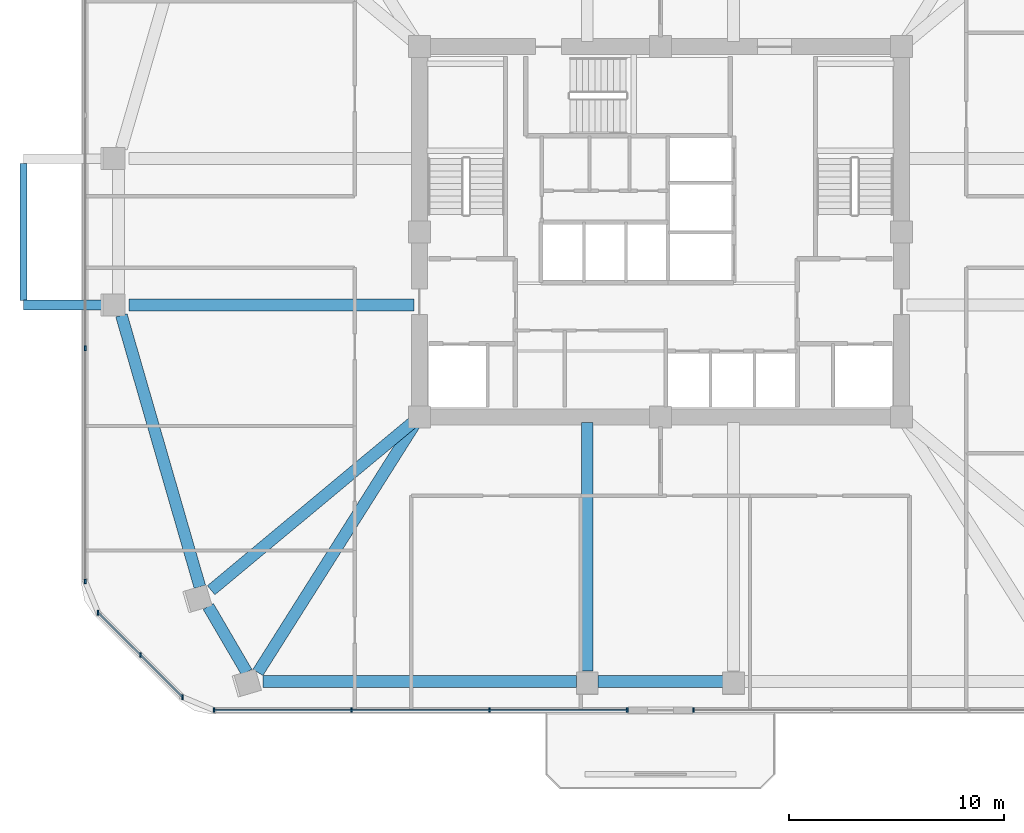
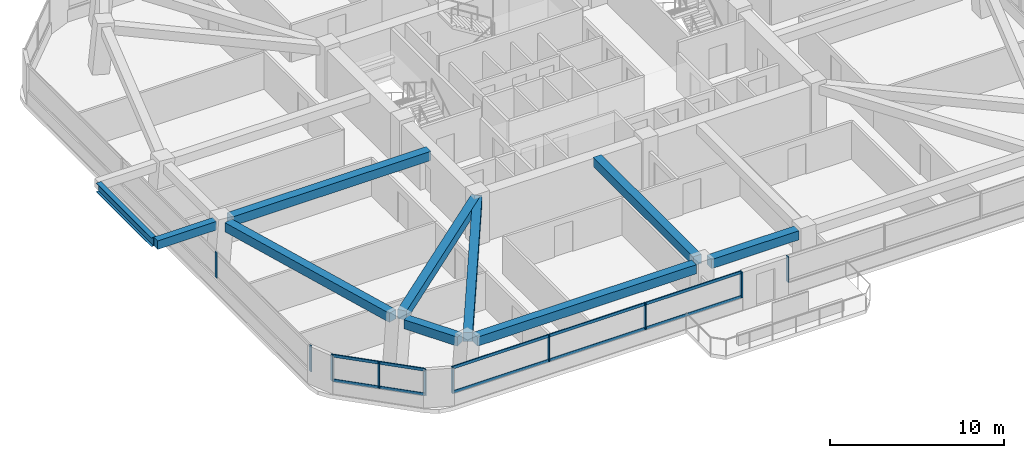
# One storey, part 2 of 13: 14 members, 10 beams, 4 elements without a shape of their own.
"""IFC4 building model written with IfcOpenShell, lengths in metres."""

from ifc_helpers import new_model, si_unit, derived_unit, direction, frame, origin, origin_2d, place, context, subcontext, project, spatial, rectangle, i_section, extrude, material, material_profile, profile_set, type_object, element, aggregate, save


model = new_model("IFC4")

# Units and contexts
model_context = context("Model", 3, precision=1e-05, world=origin(), true_north=direction((0.0, 1.0)))
body_context = subcontext(model_context, "Body", "Model", "MODEL_VIEW")
ifc_project = project(units=[si_unit("LENGTHUNIT", "METRE"), si_unit("AREAUNIT", "SQUARE_METRE"), si_unit("VOLUMEUNIT", "CUBIC_METRE"), si_unit("PLANEANGLEUNIT", "RADIAN"), si_unit("MASSUNIT", "GRAM", prefix="KILO"), derived_unit("THERMALTRANSMITTANCEUNIT", [(si_unit("POWERUNIT", "WATT"), 1), (si_unit("LENGTHUNIT", "METRE"), -2), (si_unit("THERMODYNAMICTEMPERATUREUNIT", "KELVIN"), -1)])], contexts=[model_context])

# Site, building, storey
site_placement = place(None, origin())
site = spatial("IfcSite", under=ifc_project, at=site_placement, CompositionType="ELEMENT")
building_placement = place(site_placement, origin())
building = spatial("IfcBuilding", under=site, at=building_placement, Name="Koralith Skygarden Medical Center", CompositionType="ELEMENT")
storey_placement = place(building_placement, frame((0.0, 0.0, 88.3798828125)))
storey = spatial("IfcBuildingStorey", under=building, at=storey_placement, Name="L22", CompositionType="ELEMENT", Elevation=88.3798828125)

# Curtain wall, members
ifc_material_1 = material(Name="Clear Laminated Glass", Category="glass")
curtain_wall_type = type_object("IfcCurtainWallType", Name="CW-3 Zone 2 Faceted Solar Curtain Wall", PredefinedType="NOTDEFINED", material=ifc_material_1)
curtain_wall_1_placement = place(storey_placement, origin())
curtain_wall_1 = element("IfcCurtainWall", 1, at=curtain_wall_1_placement, inside=storey, type_object=curtain_wall_type, Name="Curtain Wall CW-L22-S-L", PredefinedType="NOTDEFINED")
ifc_material_2 = material(Name="Aluminium 6063-T6", Category="aluminium")
ifc_material_profile_1 = material_profile(ifc_material_2, rectangle(XDim=0.073974609375, YDim=0.219970703125, at=origin_2d()), Name="MUL74X220")
ifc_profile_set_1 = profile_set([ifc_material_profile_1], Name="Aluminium 6063-T6")
member_type_1 = type_object("IfcMemberType", Name="CW-3 Extruded Mullion 74x220", PredefinedType="MULLION", material=ifc_profile_set_1)
member_1_placement = place(storey_placement, frame((16.2548828125, 3.679931640625, 0.85009765625), z_axis=(0.0, 0.0, 1.0), x_axis=(1.0, 0.0, 0.0)))
member_1 = element("IfcMember", 2, at=member_1_placement, type_object=member_type_1, Name="CW-L22-S-L Mullion 1", PredefinedType="MULLION", context=body_context, shape_type="SweptSolid", body=[
    extrude(rectangle(XDim=0.073974609375, YDim=0.219970703125, at=origin_2d()), origin(), (0.0, 0.0, 1.0), 1.820068359375),
])
member_2_placement = place(storey_placement, frame((22.656005859375, 3.679931640625, 0.85009765625), z_axis=(0.0, 0.0, 1.0), x_axis=(1.0, 0.0, 0.0)))
member_2 = element("IfcMember", 3, at=member_2_placement, type_object=member_type_1, Name="CW-L22-S-L Mullion 2", PredefinedType="MULLION", context=body_context, shape_type="SweptSolid", body=[
    extrude(rectangle(XDim=0.073974609375, YDim=0.219970703125, at=origin_2d()), origin(), (0.0, 0.0, 1.0), 1.820068359375),
])
member_3_placement = place(storey_placement, frame((29.05810546875, 3.679931640625, 0.85009765625), z_axis=(0.0, 0.0, 1.0), x_axis=(1.0, 0.0, 0.0)))
member_3 = element("IfcMember", 4, at=member_3_placement, type_object=member_type_1, Name="CW-L22-S-L Mullion 3", PredefinedType="MULLION", context=body_context, shape_type="SweptSolid", body=[
    extrude(rectangle(XDim=0.073974609375, YDim=0.219970703125, at=origin_2d()), origin(), (0.0, 0.0, 1.0), 1.820068359375),
])
member_4_placement = place(storey_placement, frame((35.458984375, 3.679931640625, 0.85009765625), z_axis=(0.0, 0.0, 1.0), x_axis=(1.0, 0.0, 0.0)))
member_4 = element("IfcMember", 5, at=member_4_placement, type_object=member_type_1, Name="CW-L22-S-L Mullion 4", PredefinedType="MULLION", context=body_context, shape_type="SweptSolid", body=[
    extrude(rectangle(XDim=0.073974609375, YDim=0.219970703125, at=origin_2d()), origin(), (0.0, 0.0, 1.0), 1.820068359375),
])

# Curtain wall, member
curtain_wall_2_placement = place(storey_placement, origin())
curtain_wall_2 = element("IfcCurtainWall", 6, at=curtain_wall_2_placement, inside=storey, type_object=curtain_wall_type, Name="Curtain Wall CW-L22-S-R", PredefinedType="NOTDEFINED")
member_5_placement = place(storey_placement, frame((38.5390625, 3.679931640625, 0.85009765625), z_axis=(0.0, 0.0, 1.0), x_axis=(1.0, 0.0, 0.0)))
member_5 = element("IfcMember", 7, at=member_5_placement, type_object=member_type_1, Name="CW-L22-S-R Mullion 1", PredefinedType="MULLION", context=body_context, shape_type="SweptSolid", body=[
    extrude(rectangle(XDim=0.073974609375, YDim=0.219970703125, at=origin_2d()), origin(), (0.0, 0.0, 1.0), 1.820068359375),
])
aggregate(curtain_wall_2, [member_5])

# Curtain wall, members
curtain_wall_3_placement = place(storey_placement, origin())
curtain_wall_3 = element("IfcCurtainWall", 8, at=curtain_wall_3_placement, inside=storey, type_object=curtain_wall_type, Name="Curtain Wall CW-L22-W", PredefinedType="NOTDEFINED")
member_6_placement = place(storey_placement, frame((10.280029296875, 20.485107421875, 0.85009765625), z_axis=(0.0, 0.0, 1.0), x_axis=(1.0, 0.0, 0.0)))
member_6 = element("IfcMember", 9, at=member_6_placement, type_object=member_type_1, Name="CW-L22-W Mullion 3", PredefinedType="MULLION", context=body_context, shape_type="SweptSolid", body=[
    extrude(rectangle(XDim=0.073974609375, YDim=0.219970703125, at=origin_2d()), origin(), (0.0, 0.0, 1.0), 1.820068359375),
])
member_7_placement = place(storey_placement, frame((10.280029296875, 9.655029296875, 0.85009765625), z_axis=(0.0, 0.0, 1.0), x_axis=(1.0, 0.0, 0.0)))
member_7 = element("IfcMember", 10, at=member_7_placement, type_object=member_type_1, Name="CW-L22-W Mullion 4", PredefinedType="MULLION", context=body_context, shape_type="SweptSolid", body=[
    extrude(rectangle(XDim=0.073974609375, YDim=0.219970703125, at=origin_2d()), origin(), (0.0, 0.0, 1.0), 1.820068359375),
])
aggregate(curtain_wall_3, [member_6, member_7])

curtain_wall_4_placement = place(storey_placement, origin())
curtain_wall_4 = element("IfcCurtainWall", 11, at=curtain_wall_4_placement, inside=storey, type_object=curtain_wall_type, Name="Curtain Wall CW-L22-SW", PredefinedType="NOTDEFINED")
member_8_placement = place(storey_placement, frame((10.881103515625, 8.2041015625, 0.85009765625), z_axis=(0.0, 0.0, 1.0), x_axis=(1.0, 0.0, 0.0)))
member_8 = element("IfcMember", 12, at=member_8_placement, type_object=member_type_1, Name="CW-L22-SW Mullion 1", PredefinedType="MULLION", context=body_context, shape_type="SweptSolid", body=[
    extrude(rectangle(XDim=0.073974609375, YDim=0.219970703125, at=origin_2d()), origin(), (0.0, 0.0, 1.0), 1.820068359375),
])
member_9_placement = place(storey_placement, frame((12.843017578125, 6.241943359375, 0.85009765625), z_axis=(0.0, 0.0, 1.0), x_axis=(1.0, 0.0, 0.0)))
member_9 = element("IfcMember", 13, at=member_9_placement, type_object=member_type_1, Name="CW-L22-SW Mullion 2", PredefinedType="MULLION", context=body_context, shape_type="SweptSolid", body=[
    extrude(rectangle(XDim=0.073974609375, YDim=0.219970703125, at=origin_2d()), origin(), (0.0, 0.0, 1.0), 1.820068359375),
])
member_10_placement = place(storey_placement, frame((14.803955078125, 4.281005859375, 0.85009765625), z_axis=(0.0, 0.0, 1.0), x_axis=(1.0, 0.0, 0.0)))
member_10 = element("IfcMember", 14, at=member_10_placement, type_object=member_type_1, Name="CW-L22-SW Mullion 3", PredefinedType="MULLION", context=body_context, shape_type="SweptSolid", body=[
    extrude(rectangle(XDim=0.073974609375, YDim=0.219970703125, at=origin_2d()), origin(), (0.0, 0.0, 1.0), 1.820068359375),
])

# Member
ifc_material_profile_2 = material_profile(ifc_material_2, rectangle(XDim=0.069091796875, YDim=0.197998046875, at=origin_2d()), Name="TRN69X198")
ifc_profile_set_2 = profile_set([ifc_material_profile_2], Name="Aluminium 6063-T6")
member_type_2 = type_object("IfcMemberType", Name="CW-3 Thermal Transom 69x198", PredefinedType="USERDEFINED", material=ifc_profile_set_2)
member_11_placement = place(storey_placement, frame((16.2548828125, 3.679931640625, 0.900146484375), z_axis=(1.0, 0.0, 0.0), x_axis=(0.0, 1.0, 0.0)))
member_11 = element("IfcMember", 15, at=member_11_placement, type_object=member_type_2, Name="CW-L22-S-L Transom 1", ObjectType="TRANSOM", PredefinedType="USERDEFINED", context=body_context, shape_type="SweptSolid", body=[
    extrude(rectangle(XDim=0.069091796875, YDim=0.197998046875, at=origin_2d()), origin(), (0.0, 0.0, 1.0), 19.2041015625),
])

member_12_placement = place(storey_placement, frame((16.2548828125, 3.679931640625, 2.6201171875), z_axis=(1.0, 0.0, 0.0), x_axis=(0.0, 1.0, 0.0)))
member_12 = element("IfcMember", 16, at=member_12_placement, type_object=member_type_2, Name="CW-L22-S-L Transom 2", ObjectType="TRANSOM", PredefinedType="USERDEFINED", context=body_context, shape_type="SweptSolid", body=[
    extrude(rectangle(XDim=0.069091796875, YDim=0.197998046875, at=origin_2d()), origin(), (0.0, 0.0, 1.0), 19.2041015625),
])

aggregate(curtain_wall_1, [member_1, member_2, member_3, member_4, member_11, member_12])

member_13_placement = place(storey_placement, frame((10.881103515625, 8.2041015625, 0.900146484375), z_axis=(0.707084777957, -0.707128783731, 0.0), x_axis=(0.707128783731, 0.707084777957, 0.0)))
member_13 = element("IfcMember", 17, at=member_13_placement, type_object=member_type_2, Name="CW-L22-SW Transom 1", ObjectType="TRANSOM", PredefinedType="USERDEFINED", context=body_context, shape_type="SweptSolid", body=[
    extrude(rectangle(XDim=0.069091796875, YDim=0.197998046875, at=origin_2d()), origin(), (0.0, 0.0, 1.0), 5.5478515625),
])

member_14_placement = place(storey_placement, frame((10.881103515625, 8.2041015625, 2.6201171875), z_axis=(0.707084777957, -0.707128783731, 0.0), x_axis=(0.707128783731, 0.707084777957, 0.0)))
member_14 = element("IfcMember", 18, at=member_14_placement, type_object=member_type_2, Name="CW-L22-SW Transom 2", ObjectType="TRANSOM", PredefinedType="USERDEFINED", context=body_context, shape_type="SweptSolid", body=[
    extrude(rectangle(XDim=0.069091796875, YDim=0.197998046875, at=origin_2d()), origin(), (0.0, 0.0, 1.0), 5.5478515625),
])

aggregate(curtain_wall_4, [member_8, member_9, member_10, member_13, member_14])

# Beams
ifc_material_3 = material(Name="Steel ASTM A992 Grade 50", Category="steel")
ifc_material_profile_3 = material_profile(ifc_material_3, i_section(OverallWidth=0.326904296875, OverallDepth=0.6220703125, WebThickness=0.015380859375, FlangeThickness=0.0244140625, at=origin_2d()), Name="W24X131")
ifc_profile_set_3 = profile_set([ifc_material_profile_3], Name="Steel ASTM A992 Grade 50")
beam_type_1 = type_object("IfcBeamType", Name="Cantilever Tie Beam W24X131", PredefinedType="BEAM", material=ifc_profile_set_3)
beam_1_placement = place(storey_placement, frame((7.412109375, 22.719970703125, 3.029052734375), z_axis=(0.0, 1.0, 0.0), x_axis=(-1.0, 0.0, 0.0)))
element("IfcBeam", 19, at=beam_1_placement, inside=storey, type_object=beam_type_1, Name="L23 W Balcony Tip Tie Beam", PredefinedType="BEAM", context=body_context, shape_type="SweptSolid", body=[
    extrude(i_section(OverallWidth=0.326904296875, OverallDepth=0.6220703125, WebThickness=0.015380859375, FlangeThickness=0.0244140625, at=origin_2d()), origin(), (0.0, 0.0, 1.0), 6.360107421875),
])
ifc_material_4 = material(Name="Concrete C45/55", Category="concrete")
ifc_material_profile_4 = material_profile(ifc_material_4, rectangle(XDim=0.449951171875, YDim=0.60009765625, at=origin_2d()), Name="RCB450X600")
ifc_profile_set_4 = profile_set([ifc_material_profile_4], Name="Concrete C45/55")
beam_type_2 = type_object("IfcBeamType", Name="Planted Balcony Cantilever Beam RCB450X600", PredefinedType="BEAM", material=ifc_profile_set_4)
beam_2_placement = place(storey_placement, frame((11.33203125, 22.5, 3.0400390625), z_axis=(-1.0, 0.0, 0.0), x_axis=(0.0, -1.0, 0.0)))
element("IfcBeam", 20, at=beam_2_placement, inside=storey, type_object=beam_type_2, Name="L23 W Balcony Cantilever Beam A", PredefinedType="BEAM", context=body_context, shape_type="SweptSolid", body=[
    extrude(rectangle(XDim=0.449951171875, YDim=0.60009765625, at=origin_2d()), origin(), (0.0, 0.0, 1.0), 3.919921875),
])
ifc_material_profile_5 = material_profile(ifc_material_4, rectangle(XDim=0.550048828125, YDim=0.639892578125, at=origin_2d()), Name="RCB550X640")
ifc_profile_set_5 = profile_set([ifc_material_profile_5], Name="Concrete C45/55")
beam_type_3 = type_object("IfcBeamType", Name="Radial Collector Beam RCB550X640", PredefinedType="BEAM", material=ifc_profile_set_5)
beam_3_placement = place(storey_placement, frame((25.550048828125, 22.5, 3.0), z_axis=(-1.0, 0.0, 0.0), x_axis=(0.0, -1.0, 0.0)))
element("IfcBeam", 21, at=beam_3_placement, inside=storey, type_object=beam_type_3, Name="L22 Radial Collector Beam RB-01", PredefinedType="BEAM", context=body_context, shape_type="SweptSolid", body=[
    extrude(rectangle(XDim=0.550048828125, YDim=0.639892578125, at=origin_2d()), origin(), (0.0, 0.0, 1.0), 13.22802734375),
])
beam_4_placement = place(storey_placement, frame((25.60791015625, 17.139892578125, 3.0), z_axis=(-0.768616980181, -0.63970926035, 0.0), x_axis=(0.63970926035, -0.768616980181, 0.0)))
element("IfcBeam", 22, at=beam_4_placement, inside=storey, type_object=beam_type_3, Name="L22 Radial Collector Beam RB-02", PredefinedType="BEAM", context=body_context, shape_type="SweptSolid", body=[
    extrude(rectangle(XDim=0.550048828125, YDim=0.639892578125, at=origin_2d()), origin(), (0.0, 0.0, 1.0), 12.335205078125),
])
beam_5_placement = place(storey_placement, frame((25.666015625, 17.089111328125, 3.0), z_axis=(-0.534092238193, -0.845426212689, 0.0), x_axis=(0.845426212689, -0.534092238193, 0.0)))
element("IfcBeam", 23, at=beam_5_placement, inside=storey, type_object=beam_type_3, Name="L22 Radial Collector Beam RB-03", PredefinedType="BEAM", context=body_context, shape_type="SweptSolid", body=[
    extrude(rectangle(XDim=0.550048828125, YDim=0.639892578125, at=origin_2d()), origin(), (0.0, 0.0, 1.0), 13.789794921875),
])
beam_6_placement = place(storey_placement, frame((33.60009765625, 17.050048828125, 3.0), z_axis=(0.0, -1.0, 0.0), x_axis=(1.0, 0.0, 0.0)))
element("IfcBeam", 24, at=beam_6_placement, inside=storey, type_object=beam_type_3, Name="L22 Radial Collector Beam RB-04", PredefinedType="BEAM", context=body_context, shape_type="SweptSolid", body=[
    extrude(rectangle(XDim=0.550048828125, YDim=0.639892578125, at=origin_2d()), origin(), (0.0, 0.0, 1.0), 11.5419921875),
])
ifc_material_profile_6 = material_profile(ifc_material_4, rectangle(XDim=0.550048828125, YDim=0.639892578125, at=origin_2d()), Name="RCB550X640")
ifc_profile_set_6 = profile_set([ifc_material_profile_6], Name="Concrete C45/55")
beam_type_4 = type_object("IfcBeamType", Name="Zone 2-3 Spandrel Beam RCB550X640", PredefinedType="SPANDREL", material=ifc_profile_set_6)
beam_7_placement = place(storey_placement, frame((11.9609375, 22.02001953125, 3.0), z_axis=(0.277530116088, -0.960716937846, 0.0), x_axis=(0.960716937846, 0.277530116088, 0.0)))
element("IfcBeam", 25, at=beam_7_placement, inside=storey, type_object=beam_type_4, Name="L22 Perimeter Spandrel Beam SP-01", PredefinedType="SPANDREL", context=body_context, shape_type="SweptSolid", body=[
    extrude(rectangle(XDim=0.550048828125, YDim=0.639892578125, at=origin_2d()), origin(), (0.0, 0.0, 1.0), 13.126708984375),
])
beam_8_placement = place(storey_placement, frame((15.9951171875, 8.4970703125, 3.0), z_axis=(0.504616741927, -0.863343468016, 0.0), x_axis=(0.863343468016, 0.504616741927, 0.0)))
element("IfcBeam", 26, at=beam_8_placement, inside=storey, type_object=beam_type_4, Name="L22 Perimeter Spandrel Beam SP-02", PredefinedType="SPANDREL", context=body_context, shape_type="SweptSolid", body=[
    extrude(rectangle(XDim=0.550048828125, YDim=0.639892578125, at=origin_2d()), origin(), (0.0, 0.0, 1.0), 3.541015625),
])
beam_9_placement = place(storey_placement, frame((18.533935546875, 5.008056640625, 3.0), z_axis=(1.0, 0.0, 0.0), x_axis=(0.0, 1.0, 0.0)))
element("IfcBeam", 27, at=beam_9_placement, inside=storey, type_object=beam_type_4, Name="L22 Perimeter Spandrel Beam SP-03", PredefinedType="SPANDREL", context=body_context, shape_type="SweptSolid", body=[
    extrude(rectangle(XDim=0.550048828125, YDim=0.639892578125, at=origin_2d()), origin(), (0.0, 0.0, 1.0), 14.566162109375),
])
beam_10_placement = place(storey_placement, frame((34.10009765625, 5.008056640625, 3.0), z_axis=(1.0, 0.0, 0.0), x_axis=(0.0, 1.0, 0.0)))
element("IfcBeam", 28, at=beam_10_placement, inside=storey, type_object=beam_type_4, Name="L22 Perimeter Spandrel Beam SP-04", PredefinedType="SPANDREL", context=body_context, shape_type="SweptSolid", body=[
    extrude(rectangle(XDim=0.550048828125, YDim=0.639892578125, at=origin_2d()), origin(), (0.0, 0.0, 1.0), 5.7998046875),
])

save(model, "model.ifc")
